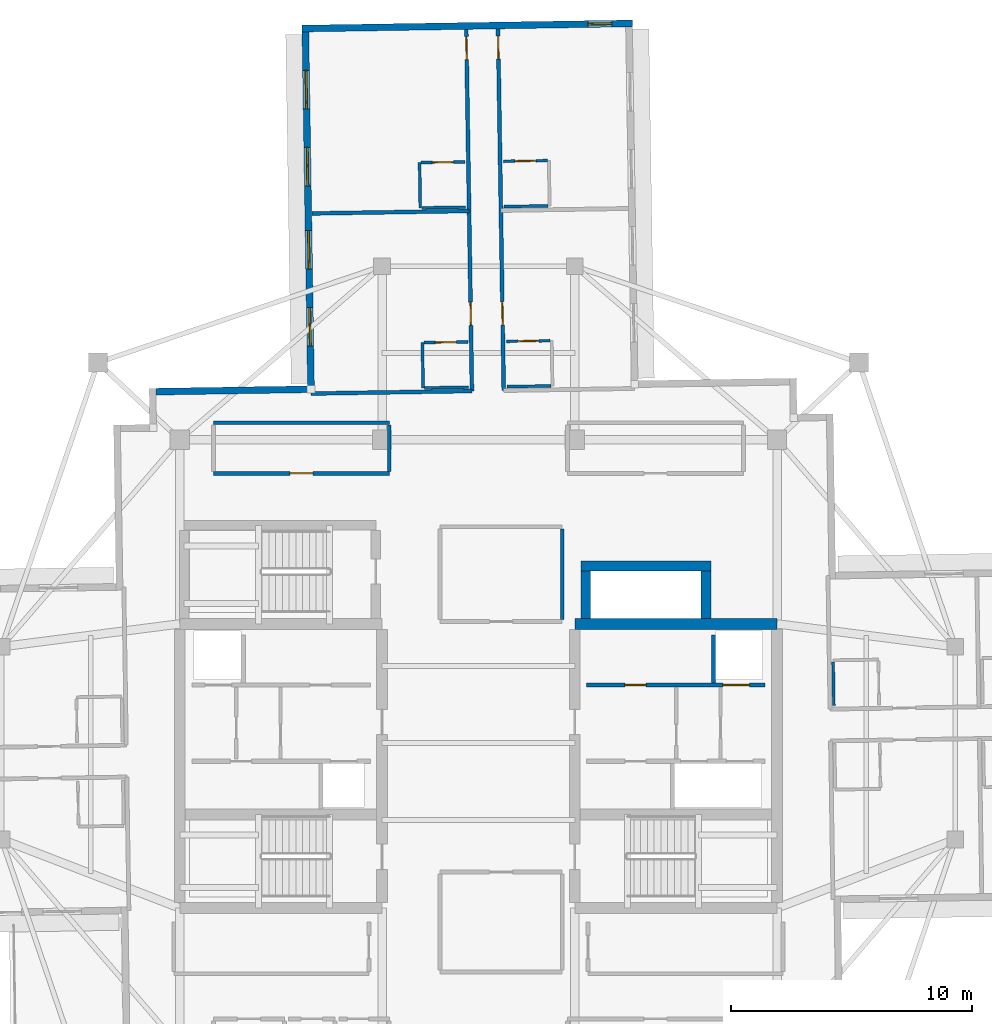
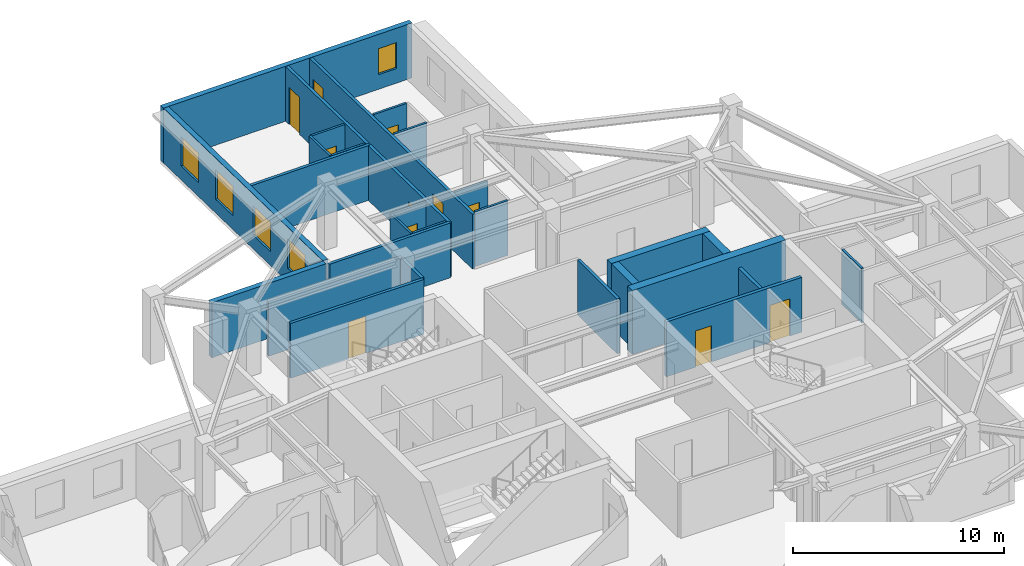
# One storey, part 7 of 12: 28 walls, 11 doors, 5 windows, 16 openings.
"""IFC4 building model written with IfcOpenShell, lengths in metres."""

from ifc_helpers import new_model, si_unit, direction, frame, frame_2d, origin, place, context, subcontext, project, spatial, rectangle, extrude, material, layer, layer_set, type_object, element, fill, save


model = new_model("IFC4")

# Units and contexts
model_context = context("Model", 3, precision=1e-05, world=origin(), true_north=direction((0.0, 1.0)))
body_context = subcontext(model_context, "Body", "Model", "MODEL_VIEW")
ifc_project = project(units=[si_unit("LENGTHUNIT", "METRE"), si_unit("AREAUNIT", "SQUARE_METRE"), si_unit("VOLUMEUNIT", "CUBIC_METRE"), si_unit("PLANEANGLEUNIT", "RADIAN"), si_unit("MASSUNIT", "GRAM", prefix="KILO")], contexts=[model_context])

# Site, building, storey
site_placement = place(None, origin())
site = spatial("IfcSite", under=ifc_project, at=site_placement, CompositionType="ELEMENT")
building_placement = place(site_placement, origin())
building = spatial("IfcBuilding", under=site, at=building_placement, Name="Qingluan Cross Belvedere", CompositionType="ELEMENT")
storey_placement = place(building_placement, frame((0.0, 0.0, 269.39990234375)))
storey = spatial("IfcBuildingStorey", under=building, at=storey_placement, Name="L67", CompositionType="ELEMENT", Elevation=269.39990234375)

# Walls
ifc_material_1 = material(Name="Concrete C50", Category="concrete")
ifc_layer_1 = layer(ifc_material_1, 0.449951171875, Name="CoreShearWall_450")
ifc_layer_set_1 = layer_set([ifc_layer_1], Name="Concrete C50")
wall_type_1 = type_object("IfcWallType", Name="CoreShearWall_450", PredefinedType="SHEAR", material=ifc_layer_set_1)
wall_1_placement = place(storey_placement, frame((4.0, 4.949951171875, 0.0), z_axis=(0.0, 0.0, 1.0), x_axis=(1.0, 0.0, 0.0)))
element("IfcWall", 1, at=wall_1_placement, inside=storey, type_object=wall_type_1, Name="Split core E shear wall L67-N", PredefinedType="SHEAR", context=body_context, shape_type="SweptSolid", body=[
    extrude(rectangle(XDim=8.39990234375, YDim=0.449951171875, at=frame_2d((4.199951171875, 0.0))), origin(), (0.0, 0.0, 1.0), 3.7001953125),
])
wall_2_placement = place(storey_placement, frame((4.449951171875, 5.179931640625, 0.0), z_axis=(0.0, 0.0, 1.0), x_axis=(0.0, 1.0, 0.0)))
element("IfcWall", 2, at=wall_2_placement, inside=storey, type_object=wall_type_1, Name="Express shuttle core wall L67-W", PredefinedType="SHEAR", context=body_context, shape_type="SweptSolid", body=[
    extrude(rectangle(XDim=1.9599609375, YDim=0.39990234375, at=frame_2d((0.97998046875, 0.0))), origin(), (0.0, 0.0, 1.0), 3.7001953125),
])
wall_3_placement = place(storey_placement, frame((4.25, 7.35009765625, 0.0), z_axis=(0.0, 0.0, 1.0), x_axis=(1.0, 0.0, 0.0)))
element("IfcWall", 3, at=wall_3_placement, inside=storey, type_object=wall_type_1, Name="Express shuttle core wall L67-N", PredefinedType="SHEAR", context=body_context, shape_type="SweptSolid", body=[
    extrude(rectangle(XDim=5.39990234375, YDim=0.39990234375, at=frame_2d((2.699951171875, 0.0))), origin(), (0.0, 0.0, 1.0), 3.7001953125),
])
wall_4_placement = place(storey_placement, frame((9.449951171875, 5.179931640625, 0.0), z_axis=(0.0, 0.0, 1.0), x_axis=(0.0, 1.0, 0.0)))
element("IfcWall", 4, at=wall_4_placement, inside=storey, type_object=wall_type_1, Name="Express shuttle core wall L67-E", PredefinedType="SHEAR", context=body_context, shape_type="SweptSolid", body=[
    extrude(rectangle(XDim=1.9599609375, YDim=0.39990234375, at=frame_2d((0.97998046875, 0.0))), origin(), (0.0, 0.0, 1.0), 3.7001953125),
])

# Wall, opening, door
ifc_material_2 = material(Name="Gypsum plasterboard on steel stud acoustic partition", Category="steel")
ifc_layer_2 = layer(ifc_material_2, 0.159912109375, Name="CorridorPartition_160")
ifc_layer_set_2 = layer_set([ifc_layer_2], Name="Gypsum plasterboard on steel stud acoustic partition")
wall_type_2 = type_object("IfcWallType", Name="CorridorPartition_160", PredefinedType="PARTITIONING", material=ifc_layer_set_2)
wall_5_placement = place(storey_placement, frame((-11.0, 11.199951171875, 0.0), z_axis=(0.0, 0.0, 1.0), x_axis=(1.0, 0.0, 0.0)))
wall_5 = element("IfcWall", 5, at=wall_5_placement, inside=storey, type_object=wall_type_2, Name="Partition L67:q_nw_occ:S", PredefinedType="PARTITIONING", context=body_context, shape_type="SweptSolid", body=[
    extrude(rectangle(XDim=7.300048828125, YDim=0.159912109375, at=frame_2d((3.64990234375, 0.0))), origin(), (0.0, 0.0, 1.0), 3.170166015625),
])
opening_1_placement = place(wall_5_placement, frame((3.169921875, 0.0, 0.0)))
opening_1 = element("IfcOpeningElement", 6, at=opening_1_placement, cuts=wall_5, Name="Opening GD-10", PredefinedType="OPENING", context=body_context, shape_type="SweptSolid", body=[
    extrude(rectangle(XDim=0.9599609375, YDim=2.14990234375, at=frame_2d((0.47998046875, 1.074951171875))), frame((0.0, 0.08984375, 0.0), z_axis=(0.0, -1.0, 0.0), x_axis=(1.0, 0.0, 0.0)), (0.0, 0.0, 1.0), 0.179931640625),
])
ifc_material_3 = material(Name="Timber oak fire-rated acoustic guestroom door", Category="wood")
door_type_1 = type_object("IfcDoorType", Name="GuestEntryDoor_FD60", OperationType="NOTDEFINED", PredefinedType="DOOR", material=ifc_material_3)
door_1_placement = place(opening_1_placement, origin())
door_1 = element("IfcDoor", 7, at=door_1_placement, inside=storey, type_object=door_type_1, Name="Northwest sky reading salon L67 door", OperationType="SINGLE_SWING_RIGHT", OverallHeight=2.14990234375, OverallWidth=0.9599609375, PredefinedType="DOOR", context=body_context, shape_type="SweptSolid", body=[
    extrude(rectangle(XDim=0.9599609375, YDim=2.14990234375, at=frame_2d((0.47998046875, 1.074951171875))), frame((0.0, 0.02490234375, 0.0), z_axis=(0.0, -1.0, 0.0), x_axis=(1.0, 0.0, 0.0)), (0.0, 0.0, 1.0), 0.050048828125),
])
fill(opening_1, door_1)

# Walls
wall_6_placement = place(storey_placement, frame((-11.0, 13.300048828125, 0.0), z_axis=(0.0, 0.0, 1.0), x_axis=(1.0, 0.0, 0.0)))
element("IfcWall", 8, at=wall_6_placement, inside=storey, type_object=wall_type_2, Name="Partition L67:q_nw_occ:N", PredefinedType="PARTITIONING", context=body_context, shape_type="SweptSolid", body=[
    extrude(rectangle(XDim=7.300048828125, YDim=0.159912109375, at=frame_2d((3.64990234375, 0.0))), origin(), (0.0, 0.0, 1.0), 3.170166015625),
])
wall_7_placement = place(storey_placement, frame((-3.699951171875, 11.284912109375, 0.0), z_axis=(0.0, 0.0, 1.0), x_axis=(0.0, 1.0, 0.0)))
element("IfcWall", 9, at=wall_7_placement, inside=storey, type_object=wall_type_2, Name="Partition L67:q_nw_occ:E", PredefinedType="PARTITIONING", context=body_context, shape_type="SweptSolid", body=[
    extrude(rectangle(XDim=1.93017578125, YDim=0.159912109375, at=frame_2d((0.965087890625, 0.0))), origin(), (0.0, 0.0, 1.0), 3.170166015625),
])
wall_8_placement = place(storey_placement, frame((3.47998046875, 5.135009765625, 0.0), z_axis=(0.0, 0.0, 1.0), x_axis=(0.0, 1.0, 0.0)))
element("IfcWall", 10, at=wall_8_placement, inside=storey, type_object=wall_type_2, Name="Partition L67:sky_tea_alcove:E", PredefinedType="PARTITIONING", context=body_context, shape_type="SweptSolid", body=[
    extrude(rectangle(XDim=3.760009765625, YDim=0.159912109375, at=frame_2d((1.8798828125, 0.0))), origin(), (0.0, 0.0, 1.0), 3.170166015625),
])

# Wall, openings, doors
wall_9_placement = place(storey_placement, frame((1.05029296875, 14.63818359375, 0.0), z_axis=(0.0, 0.0, 1.0), x_axis=(-0.015709976686, 0.999876590701, 0.0)))
wall_9 = element("IfcWall", 11, at=wall_9_placement, inside=storey, type_object=wall_type_2, Name="Partition L67:N:c0", PredefinedType="PARTITIONING", context=body_context, shape_type="SweptSolid", body=[
    extrude(rectangle(XDim=15.01220703125, YDim=0.159912109375, at=frame_2d((7.506103515625, 0.0))), origin(), (0.0, 0.0, 1.0), 3.170166015625),
])
opening_2_placement = place(wall_9_placement, frame((2.72802734375, 0.0, 0.0)))
opening_2 = element("IfcOpeningElement", 12, at=opening_2_placement, cuts=wall_9, Name="Opening GD-10", PredefinedType="OPENING", context=body_context, shape_type="SweptSolid", body=[
    extrude(rectangle(XDim=0.9599609375, YDim=2.14990234375, at=frame_2d((0.47998046875, 1.074951171875))), frame((0.0, 0.08984375, 0.0), z_axis=(0.0, -1.0, 0.0), x_axis=(1.0, 0.0, 0.0)), (0.0, 0.0, 1.0), 0.179931640625),
])
opening_3_placement = place(wall_9_placement, frame((13.760009765625, 0.0, 0.0)))
opening_3 = element("IfcOpeningElement", 13, at=opening_3_placement, cuts=wall_9, Name="Opening GD-10", PredefinedType="OPENING", context=body_context, shape_type="SweptSolid", body=[
    extrude(rectangle(XDim=0.9599609375, YDim=2.14990234375, at=frame_2d((0.47998046875, 1.074951171875))), frame((0.0, 0.08984375, 0.0), z_axis=(0.0, -1.0, 0.0), x_axis=(1.0, 0.0, 0.0)), (0.0, 0.0, 1.0), 0.179931640625),
])
door_2_placement = place(opening_2_placement, origin())
door_2 = element("IfcDoor", 14, at=door_2_placement, inside=storey, type_object=door_type_1, Name="Guest entry fire door 6709", OperationType="SINGLE_SWING_RIGHT", OverallHeight=2.14990234375, OverallWidth=0.9599609375, PredefinedType="DOOR", context=body_context, shape_type="SweptSolid", body=[
    extrude(rectangle(XDim=0.9599609375, YDim=2.14990234375, at=frame_2d((0.47998046875, 1.074951171875))), frame((0.0, 0.02490234375, 0.0), z_axis=(0.0, -1.0, 0.0), x_axis=(1.0, 0.0, 0.0)), (0.0, 0.0, 1.0), 0.050048828125),
])
fill(opening_2, door_2)
door_3_placement = place(opening_3_placement, origin())
door_3 = element("IfcDoor", 15, at=door_3_placement, inside=storey, type_object=door_type_1, Name="Guest entry fire door 6710", OperationType="SINGLE_SWING_RIGHT", OverallHeight=2.14990234375, OverallWidth=0.9599609375, PredefinedType="DOOR", context=body_context, shape_type="SweptSolid", body=[
    extrude(rectangle(XDim=0.9599609375, YDim=2.14990234375, at=frame_2d((0.47998046875, 1.074951171875))), frame((0.0, 0.02490234375, 0.0), z_axis=(0.0, -1.0, 0.0), x_axis=(1.0, 0.0, 0.0)), (0.0, 0.0, 1.0), 0.050048828125),
])
fill(opening_3, door_3)

wall_10_placement = place(storey_placement, frame((-0.26953125, 14.61767578125, 0.0), z_axis=(0.0, 0.0, 1.0), x_axis=(-0.015726491309, 0.999876331089, 0.0)))
wall_10 = element("IfcWall", 16, at=wall_10_placement, inside=storey, type_object=wall_type_2, Name="Partition L67:N:c1", PredefinedType="PARTITIONING", context=body_context, shape_type="SweptSolid", body=[
    extrude(rectangle(XDim=15.011962890625, YDim=0.159912109375, at=frame_2d((7.505859375, 0.0))), origin(), (0.0, 0.0, 1.0), 3.170166015625),
])
opening_4_placement = place(wall_10_placement, frame((2.72802734375, 0.0, 0.0)))
opening_4 = element("IfcOpeningElement", 17, at=opening_4_placement, cuts=wall_10, Name="Opening GD-10", PredefinedType="OPENING", context=body_context, shape_type="SweptSolid", body=[
    extrude(rectangle(XDim=0.9599609375, YDim=2.14990234375, at=frame_2d((0.47998046875, 1.074951171875))), frame((0.0, 0.08984375, 0.0), z_axis=(0.0, -1.0, 0.0), x_axis=(1.0, 0.0, 0.0)), (0.0, 0.0, 1.0), 0.179931640625),
])
opening_5_placement = place(wall_10_placement, frame((13.760009765625, 0.0, 0.0)))
opening_5 = element("IfcOpeningElement", 18, at=opening_5_placement, cuts=wall_10, Name="Opening GD-10", PredefinedType="OPENING", context=body_context, shape_type="SweptSolid", body=[
    extrude(rectangle(XDim=0.9599609375, YDim=2.14990234375, at=frame_2d((0.47998046875, 1.074951171875))), frame((0.0, 0.08984375, 0.0), z_axis=(0.0, -1.0, 0.0), x_axis=(1.0, 0.0, 0.0)), (0.0, 0.0, 1.0), 0.179931640625),
])
door_4_placement = place(opening_4_placement, origin())
door_4 = element("IfcDoor", 19, at=door_4_placement, inside=storey, type_object=door_type_1, Name="Guest entry fire door 6711", OperationType="SINGLE_SWING_RIGHT", OverallHeight=2.14990234375, OverallWidth=0.9599609375, PredefinedType="DOOR", context=body_context, shape_type="SweptSolid", body=[
    extrude(rectangle(XDim=0.9599609375, YDim=2.14990234375, at=frame_2d((0.47998046875, 1.074951171875))), frame((0.0, 0.02490234375, 0.0), z_axis=(0.0, -1.0, 0.0), x_axis=(1.0, 0.0, 0.0)), (0.0, 0.0, 1.0), 0.050048828125),
])
fill(opening_4, door_4)
door_5_placement = place(opening_5_placement, origin())
door_5 = element("IfcDoor", 20, at=door_5_placement, inside=storey, type_object=door_type_1, Name="Guest entry fire door 6712", OperationType="SINGLE_SWING_RIGHT", OverallHeight=2.14990234375, OverallWidth=0.9599609375, PredefinedType="DOOR", context=body_context, shape_type="SweptSolid", body=[
    extrude(rectangle(XDim=0.9599609375, YDim=2.14990234375, at=frame_2d((0.47998046875, 1.074951171875))), frame((0.0, 0.02490234375, 0.0), z_axis=(0.0, -1.0, 0.0), x_axis=(1.0, 0.0, 0.0)), (0.0, 0.0, 1.0), 0.050048828125),
])
fill(opening_5, door_5)

# Walls
wall_11_placement = place(storey_placement, frame((-0.26953125, 14.61767578125, 0.0), z_axis=(0.0, 0.0, 1.0), x_axis=(-0.999876502613, -0.015715582138, 0.0)))
element("IfcWall", 21, at=wall_11_placement, inside=storey, type_object=wall_type_2, Name="Partition L67:N:s1", PredefinedType="PARTITIONING", context=body_context, shape_type="SweptSolid", body=[
    extrude(rectangle(XDim=6.679931640625, YDim=0.159912109375, at=frame_2d((3.33984375, 0.0))), origin(), (0.0, 0.0, 1.0), 3.170166015625),
])
wall_12_placement = place(storey_placement, frame((-0.38720703125, 22.093505859375, 0.0), z_axis=(0.0, 0.0, 1.0), x_axis=(-0.999876772323, -0.015698412933, 0.0)))
element("IfcWall", 22, at=wall_12_placement, inside=storey, type_object=wall_type_2, Name="Partition L67:N:d1_0", PredefinedType="PARTITIONING", context=body_context, shape_type="SweptSolid", body=[
    extrude(rectangle(XDim=6.53173828125, YDim=0.159912109375, at=frame_2d((3.265869140625, 0.0))), origin(), (0.0, 0.0, 1.0), 3.170166015625),
])
ifc_material_4 = material(Name="Moisture-resistant gypsum board lining")
ifc_layer_3 = layer(ifc_material_4, 0.1201171875, Name="EnsuiteWetPartition_120")
ifc_layer_set_3 = layer_set([ifc_layer_3], Name="Moisture-resistant gypsum board lining")
wall_type_3 = type_object("IfcWallType", Name="EnsuiteWetPartition_120", PredefinedType="PARTITIONING", material=ifc_layer_set_3)
wall_13_placement = place(storey_placement, frame((14.75732421875, 1.552001953125, 0.0), z_axis=(0.0, 0.0, 1.0), x_axis=(-0.015560230231, 0.999878932289, 0.0)))
element("IfcWall", 23, at=wall_13_placement, inside=storey, type_object=wall_type_3, Name="Partition L67:E:bw0_0", PredefinedType="PARTITIONING", context=body_context, shape_type="SweptSolid", body=[
    extrude(rectangle(XDim=1.820068359375, YDim=0.1201171875, at=frame_2d((0.91015625, 0.0))), origin(), (0.0, 0.0, 1.0), 3.170166015625),
])

# Wall, opening, door
wall_14_placement = place(storey_placement, frame((1.158203125, 16.68017578125, 0.0), z_axis=(0.0, 0.0, 1.0), x_axis=(0.999876803258, 0.015696442504, 0.0)))
wall_14 = element("IfcWall", 24, at=wall_14_placement, inside=storey, type_object=wall_type_3, Name="Partition L67:N:bs0_0", PredefinedType="PARTITIONING", context=body_context, shape_type="SweptSolid", body=[
    extrude(rectangle(XDim=1.81982421875, YDim=0.1201171875, at=frame_2d((0.909912109375, 0.0))), origin(), (0.0, 0.0, 1.0), 3.170166015625),
])
opening_6_placement = place(wall_14_placement, frame((0.469970703125, 0.0, 0.0)))
opening_6 = element("IfcOpeningElement", 25, at=opening_6_placement, cuts=wall_14, Name="Opening BD-09", PredefinedType="OPENING", context=body_context, shape_type="SweptSolid", body=[
    extrude(rectangle(XDim=0.8798828125, YDim=2.10009765625, at=frame_2d((0.43994140625, 1.050048828125))), frame((0.0, 0.070068359375, 0.0), z_axis=(0.0, -1.0, 0.0), x_axis=(1.0, 0.0, 0.0)), (0.0, 0.0, 1.0), 0.14013671875),
])
ifc_material_5 = material(Name="Moisture-sealed timber en-suite door", Category="wood")
door_type_2 = type_object("IfcDoorType", Name="BathroomDoor_880", OperationType="NOTDEFINED", PredefinedType="DOOR", material=ifc_material_5)
door_6_placement = place(opening_6_placement, origin())
door_6 = element("IfcDoor", 26, at=door_6_placement, inside=storey, type_object=door_type_2, Name="Bathroom door 6709", OperationType="SINGLE_SWING_LEFT", OverallHeight=2.10009765625, OverallWidth=0.8798828125, PredefinedType="DOOR", context=body_context, shape_type="SweptSolid", body=[
    extrude(rectangle(XDim=0.8798828125, YDim=2.10009765625, at=frame_2d((0.43994140625, 1.050048828125))), frame((0.0, 0.02490234375, 0.0), z_axis=(0.0, -1.0, 0.0), x_axis=(1.0, 0.0, 0.0)), (0.0, 0.0, 1.0), 0.050048828125),
])
fill(opening_6, door_6)

# Wall
wall_15_placement = place(storey_placement, frame((1.187744140625, 14.800537109375, 0.0), z_axis=(0.0, 0.0, 1.0), x_axis=(0.999876803258, 0.015696442504, 0.0)))
element("IfcWall", 27, at=wall_15_placement, inside=storey, type_object=wall_type_3, Name="Partition L67:N:bw0_0", PredefinedType="PARTITIONING", context=body_context, shape_type="SweptSolid", body=[
    extrude(rectangle(XDim=1.81982421875, YDim=0.1201171875, at=frame_2d((0.909912109375, 0.0))), origin(), (0.0, 0.0, 1.0), 3.170166015625),
])

# Wall, opening, door
wall_16_placement = place(storey_placement, frame((1.040771484375, 24.15625, 0.0), z_axis=(0.0, 0.0, 1.0), x_axis=(0.999876836305, 0.015694337248, 0.0)))
wall_16 = element("IfcWall", 28, at=wall_16_placement, inside=storey, type_object=wall_type_3, Name="Partition L67:N:bs0_1", PredefinedType="PARTITIONING", context=body_context, shape_type="SweptSolid", body=[
    extrude(rectangle(XDim=1.820068359375, YDim=0.1201171875, at=frame_2d((0.91015625, 0.0))), origin(), (0.0, 0.0, 1.0), 3.170166015625),
])
opening_7_placement = place(wall_16_placement, frame((0.469970703125, 0.0, 0.0)))
opening_7 = element("IfcOpeningElement", 29, at=opening_7_placement, cuts=wall_16, Name="Opening BD-09", PredefinedType="OPENING", context=body_context, shape_type="SweptSolid", body=[
    extrude(rectangle(XDim=0.8798828125, YDim=2.10009765625, at=frame_2d((0.43994140625, 1.050048828125))), frame((0.0, 0.070068359375, 0.0), z_axis=(0.0, -1.0, 0.0), x_axis=(1.0, 0.0, 0.0)), (0.0, 0.0, 1.0), 0.14013671875),
])
door_7_placement = place(opening_7_placement, origin())
door_7 = element("IfcDoor", 30, at=door_7_placement, inside=storey, type_object=door_type_2, Name="Bathroom door 6710", OperationType="SINGLE_SWING_LEFT", OverallHeight=2.10009765625, OverallWidth=0.8798828125, PredefinedType="DOOR", context=body_context, shape_type="SweptSolid", body=[
    extrude(rectangle(XDim=0.8798828125, YDim=2.10009765625, at=frame_2d((0.43994140625, 1.050048828125))), frame((0.0, 0.02490234375, 0.0), z_axis=(0.0, -1.0, 0.0), x_axis=(1.0, 0.0, 0.0)), (0.0, 0.0, 1.0), 0.050048828125),
])
fill(opening_7, door_7)

# Wall
wall_17_placement = place(storey_placement, frame((1.0703125, 22.276611328125, 0.0), z_axis=(0.0, 0.0, 1.0), x_axis=(0.999876803258, 0.015696442504, 0.0)))
element("IfcWall", 31, at=wall_17_placement, inside=storey, type_object=wall_type_3, Name="Partition L67:N:bw0_1", PredefinedType="PARTITIONING", context=body_context, shape_type="SweptSolid", body=[
    extrude(rectangle(XDim=1.81982421875, YDim=0.1201171875, at=frame_2d((0.909912109375, 0.0))), origin(), (0.0, 0.0, 1.0), 3.170166015625),
])

# Wall, opening, door
wall_18_placement = place(storey_placement, frame((-2.261474609375, 16.62646484375, 0.0), z_axis=(0.0, 0.0, 1.0), x_axis=(0.999876836305, 0.015694337248, 0.0)))
wall_18 = element("IfcWall", 32, at=wall_18_placement, inside=storey, type_object=wall_type_3, Name="Partition L67:N:bs1_0", PredefinedType="PARTITIONING", context=body_context, shape_type="SweptSolid", body=[
    extrude(rectangle(XDim=1.820068359375, YDim=0.1201171875, at=frame_2d((0.91015625, 0.0))), origin(), (0.0, 0.0, 1.0), 3.170166015625),
])
opening_8_placement = place(wall_18_placement, frame((0.469970703125, 0.0, 0.0)))
opening_8 = element("IfcOpeningElement", 33, at=opening_8_placement, cuts=wall_18, Name="Opening BD-09", PredefinedType="OPENING", context=body_context, shape_type="SweptSolid", body=[
    extrude(rectangle(XDim=0.8798828125, YDim=2.10009765625, at=frame_2d((0.43994140625, 1.050048828125))), frame((0.0, 0.070068359375, 0.0), z_axis=(0.0, -1.0, 0.0), x_axis=(1.0, 0.0, 0.0)), (0.0, 0.0, 1.0), 0.14013671875),
])
door_8_placement = place(opening_8_placement, origin())
door_8 = element("IfcDoor", 34, at=door_8_placement, inside=storey, type_object=door_type_2, Name="Bathroom door 6711", OperationType="SINGLE_SWING_LEFT", OverallHeight=2.10009765625, OverallWidth=0.8798828125, PredefinedType="DOOR", context=body_context, shape_type="SweptSolid", body=[
    extrude(rectangle(XDim=0.8798828125, YDim=2.10009765625, at=frame_2d((0.43994140625, 1.050048828125))), frame((0.0, 0.02490234375, 0.0), z_axis=(0.0, -1.0, 0.0), x_axis=(1.0, 0.0, 0.0)), (0.0, 0.0, 1.0), 0.050048828125),
])
fill(opening_8, door_8)

# Walls
wall_19_placement = place(storey_placement, frame((-2.23193359375, 14.746826171875, 0.0), z_axis=(0.0, 0.0, 1.0), x_axis=(0.999876836305, 0.015694337248, 0.0)))
element("IfcWall", 35, at=wall_19_placement, inside=storey, type_object=wall_type_3, Name="Partition L67:N:bw1_0", PredefinedType="PARTITIONING", context=body_context, shape_type="SweptSolid", body=[
    extrude(rectangle(XDim=1.820068359375, YDim=0.1201171875, at=frame_2d((0.91015625, 0.0))), origin(), (0.0, 0.0, 1.0), 3.170166015625),
])
wall_20_placement = place(storey_placement, frame((-2.296875, 14.74560546875, 0.0), z_axis=(0.0, 0.0, 1.0), x_axis=(-0.01571234584, 0.999876553475, 0.0)))
element("IfcWall", 36, at=wall_20_placement, inside=storey, type_object=wall_type_3, Name="Partition L67:N:bc1_0", PredefinedType="PARTITIONING", context=body_context, shape_type="SweptSolid", body=[
    extrude(rectangle(XDim=1.880126953125, YDim=0.1201171875, at=frame_2d((0.93994140625, 0.0))), origin(), (0.0, 0.0, 1.0), 3.170166015625),
])

# Wall, opening, door
wall_21_placement = place(storey_placement, frame((-2.37890625, 24.1025390625, 0.0), z_axis=(0.0, 0.0, 1.0), x_axis=(0.999876836305, 0.015694337248, 0.0)))
wall_21 = element("IfcWall", 37, at=wall_21_placement, inside=storey, type_object=wall_type_3, Name="Partition L67:N:bs1_1", PredefinedType="PARTITIONING", context=body_context, shape_type="SweptSolid", body=[
    extrude(rectangle(XDim=1.820068359375, YDim=0.1201171875, at=frame_2d((0.91015625, 0.0))), origin(), (0.0, 0.0, 1.0), 3.170166015625),
])
opening_9_placement = place(wall_21_placement, frame((0.469970703125, 0.0, 0.0)))
opening_9 = element("IfcOpeningElement", 38, at=opening_9_placement, cuts=wall_21, Name="Opening BD-09", PredefinedType="OPENING", context=body_context, shape_type="SweptSolid", body=[
    extrude(rectangle(XDim=0.8798828125, YDim=2.10009765625, at=frame_2d((0.43994140625, 1.050048828125))), frame((0.0, 0.070068359375, 0.0), z_axis=(0.0, -1.0, 0.0), x_axis=(1.0, 0.0, 0.0)), (0.0, 0.0, 1.0), 0.14013671875),
])
door_9_placement = place(opening_9_placement, origin())
door_9 = element("IfcDoor", 39, at=door_9_placement, inside=storey, type_object=door_type_2, Name="Bathroom door 6712", OperationType="SINGLE_SWING_LEFT", OverallHeight=2.10009765625, OverallWidth=0.8798828125, PredefinedType="DOOR", context=body_context, shape_type="SweptSolid", body=[
    extrude(rectangle(XDim=0.8798828125, YDim=2.10009765625, at=frame_2d((0.43994140625, 1.050048828125))), frame((0.0, 0.02490234375, 0.0), z_axis=(0.0, -1.0, 0.0), x_axis=(1.0, 0.0, 0.0)), (0.0, 0.0, 1.0), 0.050048828125),
])
fill(opening_9, door_9)

# Walls
wall_22_placement = place(storey_placement, frame((-2.349365234375, 22.222900390625, 0.0), z_axis=(0.0, 0.0, 1.0), x_axis=(0.999876836305, 0.015694337248, 0.0)))
element("IfcWall", 40, at=wall_22_placement, inside=storey, type_object=wall_type_3, Name="Partition L67:N:bw1_1", PredefinedType="PARTITIONING", context=body_context, shape_type="SweptSolid", body=[
    extrude(rectangle(XDim=1.820068359375, YDim=0.1201171875, at=frame_2d((0.91015625, 0.0))), origin(), (0.0, 0.0, 1.0), 3.170166015625),
])
wall_23_placement = place(storey_placement, frame((-2.414306640625, 22.2216796875, 0.0), z_axis=(0.0, 0.0, 1.0), x_axis=(-0.01571234584, 0.999876553475, 0.0)))
element("IfcWall", 41, at=wall_23_placement, inside=storey, type_object=wall_type_3, Name="Partition L67:N:bc1_1", PredefinedType="PARTITIONING", context=body_context, shape_type="SweptSolid", body=[
    extrude(rectangle(XDim=1.880126953125, YDim=0.1201171875, at=frame_2d((0.93994140625, 0.0))), origin(), (0.0, 0.0, 1.0), 3.170166015625),
])

# Wall, openings, windows
ifc_material_6 = material(Name="Precast concrete C45", Category="concrete")
ifc_layer_4 = layer(ifc_material_6, 0.280029296875, Name="PrecastFacadeWall_280")
ifc_layer_set_4 = layer_set([ifc_layer_4], Name="Precast concrete C45")
wall_type_4 = type_object("IfcWallType", Name="PrecastFacadeWall_280", PredefinedType="STANDARD", material=ifc_layer_set_4)
wall_24_placement = place(storey_placement, frame((-7.184814453125, 29.53076171875, 0.0), z_axis=(0.0, 0.0, 1.0), x_axis=(0.015711302158, -0.999876569875, 0.0)))
wall_24 = element("IfcWall", 42, at=wall_24_placement, inside=storey, type_object=wall_type_4, Name="Facade wall L67-NB", PredefinedType="STANDARD", context=body_context, shape_type="SweptSolid", body=[
    extrude(rectangle(XDim=14.699951171875, YDim=0.280029296875, at=frame_2d((7.35009765625, 0.0))), origin(), (0.0, 0.0, 1.0), 3.18017578125),
])
opening_10_placement = place(wall_24_placement, frame((1.60009765625, 0.0, 0.800048828125)))
opening_10 = element("IfcOpeningElement", 43, at=opening_10_placement, cuts=wall_24, Name="Opening W-04", PredefinedType="OPENING", context=body_context, shape_type="SweptSolid", body=[
    extrude(rectangle(XDim=1.60009765625, YDim=1.699951171875, at=frame_2d((0.800048828125, 0.85009765625))), frame((0.0, 0.14990234375, 0.0), z_axis=(0.0, -1.0, 0.0), x_axis=(1.0, 0.0, 0.0)), (0.0, 0.0, 1.0), 0.300048828125),
])
opening_11_placement = place(wall_24_placement, frame((4.800048828125, 0.0, 0.800048828125)))
opening_11 = element("IfcOpeningElement", 44, at=opening_11_placement, cuts=wall_24, Name="Opening W-04", PredefinedType="OPENING", context=body_context, shape_type="SweptSolid", body=[
    extrude(rectangle(XDim=1.60009765625, YDim=1.699951171875, at=frame_2d((0.800048828125, 0.85009765625))), frame((0.0, 0.14990234375, 0.0), z_axis=(0.0, -1.0, 0.0), x_axis=(1.0, 0.0, 0.0)), (0.0, 0.0, 1.0), 0.300048828125),
])
opening_12_placement = place(wall_24_placement, frame((8.25, 0.0, 0.800048828125)))
opening_12 = element("IfcOpeningElement", 45, at=opening_12_placement, cuts=wall_24, Name="Opening W-04", PredefinedType="OPENING", context=body_context, shape_type="SweptSolid", body=[
    extrude(rectangle(XDim=1.60009765625, YDim=1.699951171875, at=frame_2d((0.800048828125, 0.85009765625))), frame((0.0, 0.14990234375, 0.0), z_axis=(0.0, -1.0, 0.0), x_axis=(1.0, 0.0, 0.0)), (0.0, 0.0, 1.0), 0.300048828125),
])
opening_13_placement = place(wall_24_placement, frame((11.449951171875, 0.0, 0.800048828125)))
opening_13 = element("IfcOpeningElement", 46, at=opening_13_placement, cuts=wall_24, Name="Opening W-04", PredefinedType="OPENING", context=body_context, shape_type="SweptSolid", body=[
    extrude(rectangle(XDim=1.60009765625, YDim=1.699951171875, at=frame_2d((0.800048828125, 0.85009765625))), frame((0.0, 0.14990234375, 0.0), z_axis=(0.0, -1.0, 0.0), x_axis=(1.0, 0.0, 0.0)), (0.0, 0.0, 1.0), 0.300048828125),
])
ifc_material_7 = material(Name="Thermally broken triple Low-E glass in aluminium frame", Category="aluminium")
window_type_1 = type_object("IfcWindowType", Name="SuiteCornerWin_1600x1700", PartitioningType="SINGLE_PANEL", PredefinedType="WINDOW", material=ifc_material_7)
window_1_placement = place(opening_10_placement, origin())
window_1 = element("IfcWindow", 47, at=window_1_placement, inside=storey, type_object=window_type_1, Name="Ribbon window L67-NB-1", OverallHeight=1.699951171875, OverallWidth=1.60009765625, PartitioningType="SINGLE_PANEL", PredefinedType="WINDOW", context=body_context, shape_type="SweptSolid", body=[
    extrude(rectangle(XDim=1.60009765625, YDim=1.699951171875, at=frame_2d((0.800048828125, 0.85009765625))), frame((0.0, 0.030029296875, 0.0), z_axis=(0.0, -1.0, 0.0), x_axis=(1.0, 0.0, 0.0)), (0.0, 0.0, 1.0), 0.06005859375),
])
fill(opening_10, window_1)
window_2_placement = place(opening_11_placement, origin())
window_2 = element("IfcWindow", 48, at=window_2_placement, inside=storey, type_object=window_type_1, Name="Ribbon window L67-NB-2", OverallHeight=1.699951171875, OverallWidth=1.60009765625, PartitioningType="SINGLE_PANEL", PredefinedType="WINDOW", context=body_context, shape_type="SweptSolid", body=[
    extrude(rectangle(XDim=1.60009765625, YDim=1.699951171875, at=frame_2d((0.800048828125, 0.85009765625))), frame((0.0, 0.030029296875, 0.0), z_axis=(0.0, -1.0, 0.0), x_axis=(1.0, 0.0, 0.0)), (0.0, 0.0, 1.0), 0.06005859375),
])
fill(opening_11, window_2)
window_3_placement = place(opening_12_placement, origin())
window_3 = element("IfcWindow", 49, at=window_3_placement, inside=storey, type_object=window_type_1, Name="Ribbon window L67-NB-3", OverallHeight=1.699951171875, OverallWidth=1.60009765625, PartitioningType="SINGLE_PANEL", PredefinedType="WINDOW", context=body_context, shape_type="SweptSolid", body=[
    extrude(rectangle(XDim=1.60009765625, YDim=1.699951171875, at=frame_2d((0.800048828125, 0.85009765625))), frame((0.0, 0.030029296875, 0.0), z_axis=(0.0, -1.0, 0.0), x_axis=(1.0, 0.0, 0.0)), (0.0, 0.0, 1.0), 0.06005859375),
])
fill(opening_12, window_3)
window_4_placement = place(opening_13_placement, origin())
window_4 = element("IfcWindow", 50, at=window_4_placement, inside=storey, type_object=window_type_1, Name="Ribbon window L67-NB-4", OverallHeight=1.699951171875, OverallWidth=1.60009765625, PartitioningType="SINGLE_PANEL", PredefinedType="WINDOW", context=body_context, shape_type="SweptSolid", body=[
    extrude(rectangle(XDim=1.60009765625, YDim=1.699951171875, at=frame_2d((0.800048828125, 0.85009765625))), frame((0.0, 0.030029296875, 0.0), z_axis=(0.0, -1.0, 0.0), x_axis=(1.0, 0.0, 0.0)), (0.0, 0.0, 1.0), 0.06005859375),
])
fill(opening_13, window_4)

# Wall, opening, window
wall_25_placement = place(storey_placement, frame((6.391357421875, 29.884033203125, 0.0), z_axis=(0.0, 0.0, 1.0), x_axis=(-0.999876828887, -0.015694809807, 0.0)))
wall_25 = element("IfcWall", 51, at=wall_25_placement, inside=storey, type_object=wall_type_4, Name="Arm tip precast facade wall L67-N", PredefinedType="STANDARD", context=body_context, shape_type="SweptSolid", body=[
    extrude(rectangle(XDim=13.719970703125, YDim=0.280029296875, at=frame_2d((6.85986328125, 0.0))), origin(), (0.0, 0.0, 1.0), 3.18017578125),
])
opening_14_placement = place(wall_25_placement, frame((0.85009765625, 0.0, 0.85009765625)))
opening_14 = element("IfcOpeningElement", 52, at=opening_14_placement, cuts=wall_25, Name="Opening W-03", PredefinedType="OPENING", context=body_context, shape_type="SweptSolid", body=[
    extrude(rectangle(XDim=1.0, YDim=1.5, at=frame_2d((0.5, 0.75))), frame((0.0, 0.14990234375, 0.0), z_axis=(0.0, -1.0, 0.0), x_axis=(1.0, 0.0, 0.0)), (0.0, 0.0, 1.0), 0.300048828125),
])
ifc_material_8 = material(Name="Thermally broken triple Low-E glass in aluminium frame", Category="aluminium")
window_type_2 = type_object("IfcWindowType", Name="TriApexWin_1000x1500", PartitioningType="SINGLE_PANEL", PredefinedType="WINDOW", material=ifc_material_8)
window_5_placement = place(opening_14_placement, origin())
window_5 = element("IfcWindow", 53, at=window_5_placement, inside=storey, type_object=window_type_2, Name="Arm tip triangular window L67-N", OverallHeight=1.5, OverallWidth=1.0, PartitioningType="SINGLE_PANEL", PredefinedType="WINDOW", context=body_context, shape_type="SweptSolid", body=[
    extrude(rectangle(XDim=1.0, YDim=1.5, at=frame_2d((0.5, 0.75))), frame((0.0, 0.030029296875, 0.0), z_axis=(0.0, -1.0, 0.0), x_axis=(1.0, 0.0, 0.0)), (0.0, 0.0, 1.0), 0.06005859375),
])
fill(opening_14, window_5)

# Wall
wall_26_placement = place(storey_placement, frame((-13.390869140625, 14.591552734375, 0.0), z_axis=(0.0, 0.0, 1.0), x_axis=(0.999876833368, 0.015694524359, 0.0)))
element("IfcWall", 54, at=wall_26_placement, inside=storey, type_object=wall_type_4, Name="Corner wall L67-NW4", PredefinedType="STANDARD", context=body_context, shape_type="SweptSolid", body=[
    extrude(rectangle(XDim=6.300048828125, YDim=0.280029296875, at=frame_2d((3.14990234375, 0.0))), origin(), (0.0, 0.0, 1.0), 3.18017578125),
])

# Wall, openings, doors
ifc_material_9 = material(Name="Concrete C40", Category="concrete")
ifc_layer_5 = layer(ifc_material_9, 0.219970703125, Name="ShaftEnclosureWall_250")
ifc_layer_set_5 = layer_set([ifc_layer_5], Name="Concrete C40")
wall_type_5 = type_object("IfcWallType", Name="ShaftEnclosureWall_250", PredefinedType="SOLIDWALL", material=ifc_layer_set_5)
wall_27_placement = place(storey_placement, frame((4.47998046875, 2.409912109375, 0.0), z_axis=(0.0, 0.0, 1.0), x_axis=(1.0, 0.0, 0.0)))
wall_27 = element("IfcWall", 55, at=wall_27_placement, inside=storey, type_object=wall_type_5, Name="Core-E north hoistway wall L67", PredefinedType="SOLIDWALL", context=body_context, shape_type="SweptSolid", body=[
    extrude(rectangle(XDim=7.419921875, YDim=0.179931640625, at=frame_2d((3.7099609375, 0.0))), origin(), (0.0, 0.0, 1.0), 3.170166015625),
])
opening_15_placement = place(wall_27_placement, frame((5.669921875, 0.0, 0.0)))
opening_15 = element("IfcOpeningElement", 56, at=opening_15_placement, cuts=wall_27, Name="Opening LD-11", PredefinedType="OPENING", context=body_context, shape_type="SweptSolid", body=[
    extrude(rectangle(XDim=1.10009765625, YDim=2.14990234375, at=frame_2d((0.550048828125, 1.074951171875))), frame((0.0, 0.099853515625, 0.0), z_axis=(0.0, -1.0, 0.0), x_axis=(1.0, 0.0, 0.0)), (0.0, 0.0, 1.0), 0.199951171875),
])
opening_16_placement = place(wall_27_placement, frame((1.60009765625, 0.0, 0.0)))
opening_16 = element("IfcOpeningElement", 57, at=opening_16_placement, cuts=wall_27, Name="Opening FD-B10", PredefinedType="OPENING", context=body_context, shape_type="SweptSolid", body=[
    extrude(rectangle(XDim=0.8798828125, YDim=2.10009765625, at=frame_2d((0.43994140625, 1.050048828125))), frame((0.0, 0.099853515625, 0.0), z_axis=(0.0, -1.0, 0.0), x_axis=(1.0, 0.0, 0.0)), (0.0, 0.0, 1.0), 0.199951171875),
])
ifc_material_10 = material(Name="Brushed stainless steel centre-opening lift landing door", Category="steel")
door_type_3 = type_object("IfcDoorType", Name="LiftLandingSlidingDoor_1100", OperationType="DOUBLE_DOOR_SLIDING", PredefinedType="DOOR", material=ifc_material_10)
door_10_placement = place(opening_15_placement, origin())
door_10 = element("IfcDoor", 58, at=door_10_placement, inside=storey, type_object=door_type_3, Name="Lift landing sliding door FL2 L67", OperationType="DOUBLE_DOOR_SLIDING", OverallHeight=2.14990234375, OverallWidth=1.10009765625, PredefinedType="DOOR", context=body_context, shape_type="SweptSolid", body=[
    extrude(rectangle(XDim=1.10009765625, YDim=2.14990234375, at=frame_2d((0.550048828125, 1.074951171875))), frame((0.0, 0.02490234375, 0.0), z_axis=(0.0, -1.0, 0.0), x_axis=(1.0, 0.0, 0.0)), (0.0, 0.0, 1.0), 0.050048828125),
])
fill(opening_15, door_10)
ifc_material_11 = material(Name="Steel Class B service fire door", Category="steel")
door_type_4 = type_object("IfcDoorType", Name="RiserServiceFireDoor_FDB", OperationType="NOTDEFINED", PredefinedType="DOOR", material=ifc_material_11)
door_11_placement = place(opening_16_placement, origin())
door_11 = element("IfcDoor", 59, at=door_11_placement, inside=storey, type_object=door_type_4, Name="Pantry room door E L67", OperationType="SINGLE_SWING_LEFT", OverallHeight=2.10009765625, OverallWidth=0.8798828125, PredefinedType="DOOR", context=body_context, shape_type="SweptSolid", body=[
    extrude(rectangle(XDim=0.8798828125, YDim=2.10009765625, at=frame_2d((0.43994140625, 1.050048828125))), frame((0.0, 0.02490234375, 0.0), z_axis=(0.0, -1.0, 0.0), x_axis=(1.0, 0.0, 0.0)), (0.0, 0.0, 1.0), 0.050048828125),
])
fill(opening_16, door_11)

# Wall
wall_28_placement = place(storey_placement, frame((9.760009765625, 2.5, 0.0), z_axis=(0.0, 0.0, 1.0), x_axis=(0.0, 1.0, 0.0)))
element("IfcWall", 60, at=wall_28_placement, inside=storey, type_object=wall_type_5, Name="Hoistway enclosure divider FL2W L67", PredefinedType="SOLIDWALL", context=body_context, shape_type="SweptSolid", body=[
    extrude(rectangle(XDim=1.989990234375, YDim=0.179931640625, at=frame_2d((0.9951171875, 0.0))), origin(), (0.0, 0.0, 1.0), 3.170166015625),
])

save(model, "model.ifc")
